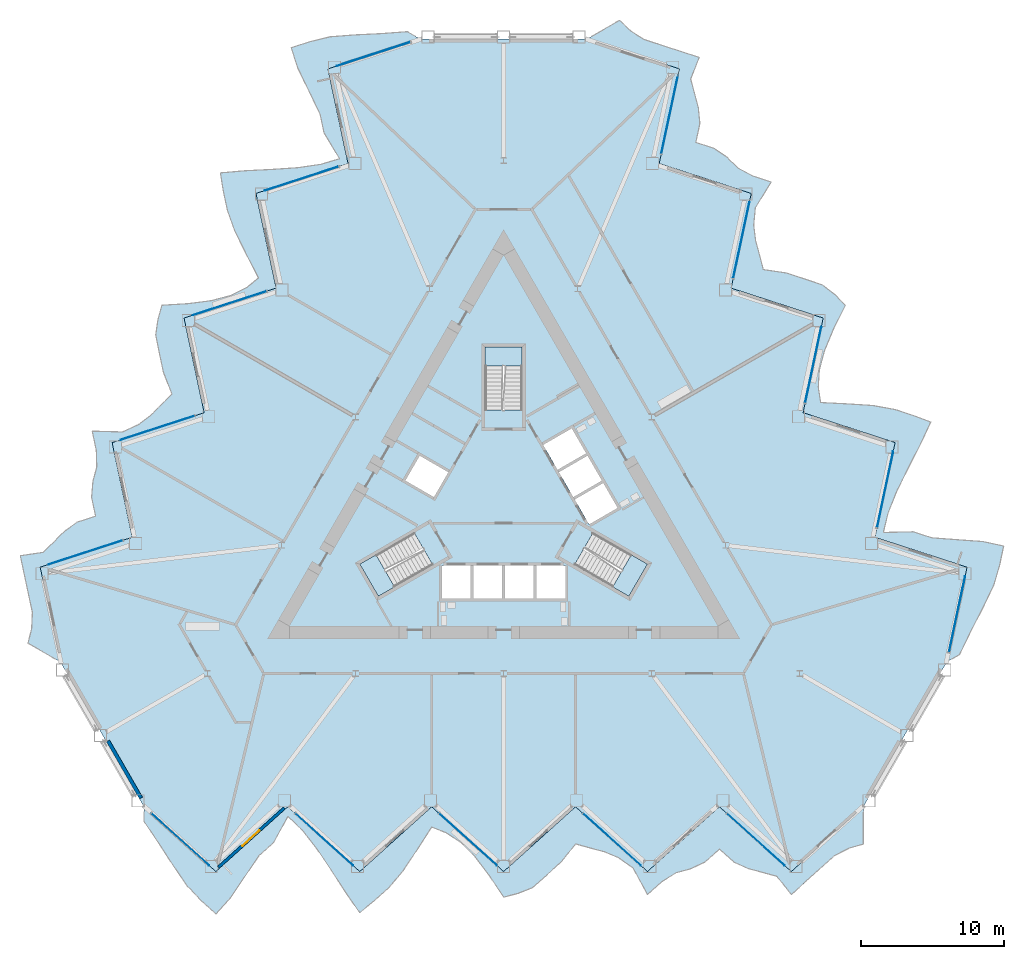
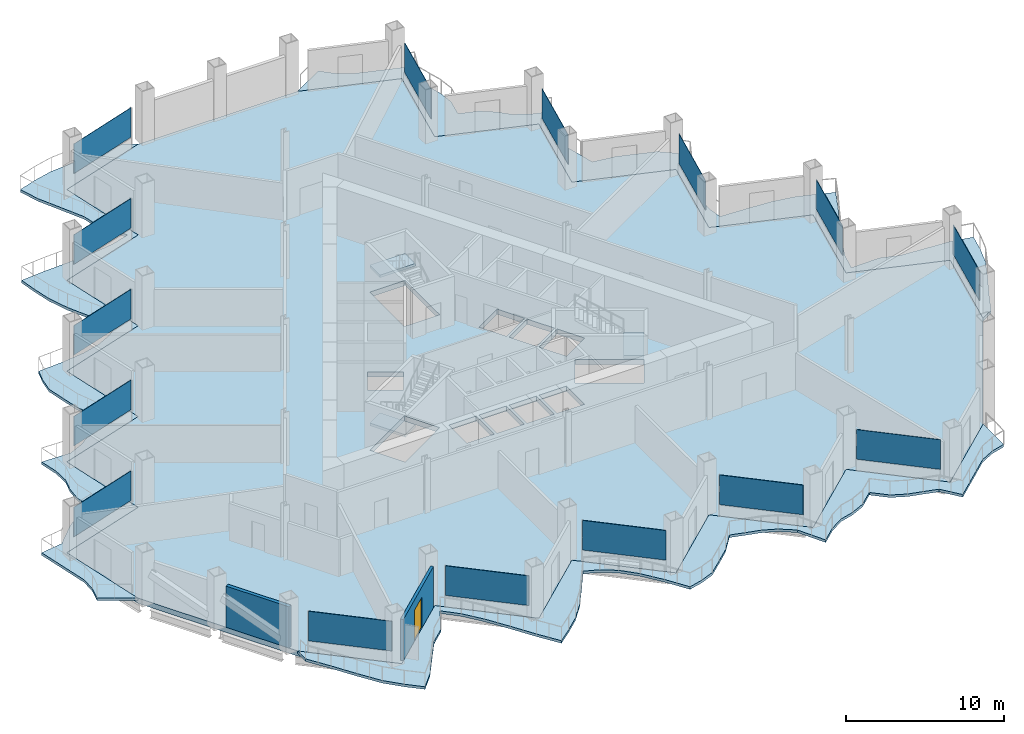
# One storey, part 9 of 21: 15 plates, 7 slabs, 2 walls, 1 door, 1 opening, 18 elements without a shape of their own.
"""IFC4 building model written with IfcOpenShell, lengths in metres."""

from ifc_helpers import new_model, si_unit, direction, frame, frame_2d, origin, origin_2d, place, context, subcontext, project, spatial, polyline, rectangle, outline, extrude, material, layer, layer_set, type_object, element, fill, aggregate, save


model = new_model("IFC4")

# Units and contexts
model_context = context("Model", 3, precision=1e-05, world=origin(), true_north=direction((0.0, 1.0)))
body_context = subcontext(model_context, "Body", "Model", "MODEL_VIEW")
ifc_project = project(units=[si_unit("LENGTHUNIT", "METRE"), si_unit("AREAUNIT", "SQUARE_METRE"), si_unit("VOLUMEUNIT", "CUBIC_METRE"), si_unit("PLANEANGLEUNIT", "RADIAN"), si_unit("MASSUNIT", "GRAM", prefix="KILO")], contexts=[model_context])

# Site, building, storey
site_placement = place(None, origin())
site = spatial("IfcSite", under=ifc_project, at=site_placement, CompositionType="ELEMENT")
building_placement = place(site_placement, origin())
building = spatial("IfcBuilding", under=site, at=building_placement, Name="Cormorant Prow Tower", CompositionType="ELEMENT")
storey_placement = place(building_placement, frame((0.0, 0.0, 116.39990234375)))
storey = spatial("IfcBuildingStorey", under=building, at=storey_placement, Name="L24", CompositionType="ELEMENT", Elevation=116.39990234375)

# Slabs
ifc_material_1 = material(Name="Concrete C40/50", Category="concrete")
ifc_layer_1 = layer(ifc_material_1, 0.199951171875)
ifc_layer_set_1 = layer_set([ifc_layer_1], Name="Concrete C40/50")
slab_type_1 = type_object("IfcSlabType", Name="Balcony slab 200", PredefinedType="FLOOR", material=ifc_layer_set_1)
slab_1_placement = place(storey_placement, frame((0.0, 0.0, -0.199951171875)))
element("IfcSlab", 1, at=slab_1_placement, inside=storey, type_object=slab_type_1, Name="Balcony slab S L24", PredefinedType="FLOOR", context=body_context, shape_type="SweptSolid", body=[
    extrude(outline(polyline([(-25.090087890625, -21.225341796875), (-25.090087890625, -22.241455078125), (-24.086669921875, -23.713623046875), (-23.0830078125, -25.2724609375), (-22.079345703125, -26.738037109375), (-21.07568359375, -27.7900390625), (-20.072021484375, -28.693603515625), (-19.068603515625, -27.58740234375), (-18.06494140625, -26.1025390625), (-17.061279296875, -24.6328125), (-16.0576171875, -23.72900390625), (-15.05419921875, -21.89892578125), (-14.050537109375, -22.848876953125), (-13.046875, -24.123046875), (-12.043212890625, -25.61962890625), (-11.039794921875, -27.17578125), (-10.0361328125, -28.6123046875), (-9.032470703125, -27.7900390625), (-8.02880859375, -26.886474609375), (-7.025146484375, -25.703125), (-6.021728515625, -24.19580078125), (-5.01806640625, -22.642578125), (-4.014404296875, -23.029541015625), (-3.0107421875, -23.69091796875), (-2.00732421875, -24.693359375), (-1.003662109375, -26.010009765625), (0.0, -27.527099609375), (1.003662109375, -27.26904296875), (2.00732421875, -26.865478515625), (3.0107421875, -25.982666015625), (4.014404296875, -25.0791015625), (5.01806640625, -23.81396484375), (6.021728515625, -24.09521484375), (7.025146484375, -24.3583984375), (8.02880859375, -24.779296875), (9.032470703125, -25.49072265625), (10.0361328125, -27.34375), (11.039794921875, -26.43994140625), (12.043212890625, -25.82080078125), (13.046875, -25.551513671875), (14.050537109375, -25.0791015625), (15.05419921875, -24.175537109375), (16.0576171875, -25.0791015625), (17.061279296875, -25.53466796875), (18.06494140625, -25.801513671875), (19.068603515625, -26.077880859375), (20.072021484375, -27.34375), (21.07568359375, -26.43994140625), (22.079345703125, -25.536376953125), (23.0830078125, -24.6328125), (24.086669921875, -24.1142578125), (25.090087890625, -23.829833984375), (25.090087890625, -21.225341796875), (24.086669921875, -22.129150390625), (23.0830078125, -23.03271484375), (22.079345703125, -23.936279296875), (21.07568359375, -24.840087890625), (20.072021484375, -25.74365234375), (19.068603515625, -24.840087890625), (18.06494140625, -23.936279296875), (17.061279296875, -23.03271484375), (16.0576171875, -22.129150390625), (15.05419921875, -21.225341796875), (14.050537109375, -22.129150390625), (13.046875, -23.03271484375), (12.043212890625, -23.936279296875), (11.039794921875, -24.840087890625), (10.0361328125, -25.74365234375), (9.032470703125, -24.840087890625), (8.02880859375, -23.936279296875), (7.025146484375, -23.03271484375), (6.021728515625, -22.129150390625), (5.01806640625, -21.225341796875), (4.014404296875, -22.129150390625), (3.0107421875, -23.03271484375), (2.00732421875, -23.936279296875), (1.003662109375, -24.840087890625), (0.0, -25.74365234375), (-1.003662109375, -24.840087890625), (-2.00732421875, -23.936279296875), (-3.0107421875, -23.03271484375), (-4.014404296875, -22.129150390625), (-5.01806640625, -21.225341796875), (-6.021728515625, -22.129150390625), (-7.025146484375, -23.03271484375), (-8.02880859375, -23.936279296875), (-9.032470703125, -24.840087890625), (-10.0361328125, -25.74365234375), (-11.039794921875, -24.840087890625), (-12.043212890625, -23.936279296875), (-13.046875, -23.03271484375), (-14.050537109375, -22.129150390625), (-15.05419921875, -21.225341796875), (-16.0576171875, -22.129150390625), (-17.061279296875, -23.03271484375), (-18.06494140625, -23.936279296875), (-19.068603515625, -24.840087890625), (-20.072021484375, -25.74365234375), (-21.07568359375, -24.840087890625), (-22.079345703125, -23.936279296875), (-23.0830078125, -23.03271484375), (-24.086669921875, -22.129150390625), (-25.090087890625, -21.225341796875)])), origin(), (0.0, 0.0, 1.0), 0.199951171875),
])
slab_2_placement = place(storey_placement, frame((0.0, 0.0, -0.199951171875)))
element("IfcSlab", 2, at=slab_2_placement, inside=storey, type_object=slab_type_1, Name="Balcony slab ENE L24", PredefinedType="FLOOR", context=body_context, shape_type="SweptSolid", body=[
    extrude(outline(polyline([(30.9267578125, -11.115966796875), (31.806884765625, -10.60791015625), (32.580078125, -9.002685546875), (33.42822265625, -7.354248046875), (34.1953125, -5.752197265625), (34.604736328125, -4.357177734375), (34.885498046875, -3.0361328125), (33.42578125, -2.719970703125), (31.637939453125, -2.59326171875), (29.86328125, -2.459228515625), (28.578857421875, -2.041748046875), (26.4921875, -2.087646484375), (26.81298828125, -0.74365234375), (27.414794921875, 0.7626953125), (28.208984375, 2.380126953125), (29.0546875, 4.02734375), (29.796875, 5.61474609375), (28.5830078125, 6.07275390625), (27.298828125, 6.489990234375), (25.772216796875, 6.767578125), (23.965087890625, 6.883056640625), (22.1181640625, 6.9755859375), (21.951171875, 8.0380859375), (22.022216796875, 9.238037109375), (22.388671875, 10.6083984375), (23.027099609375, 12.1357421875), (23.839111328125, 13.763671875), (23.11376953125, 14.503662109375), (22.2626953125, 15.171142578125), (20.996337890625, 15.598876953125), (19.7119140625, 16.01611328125), (18.114501953125, 16.252685546875), (17.856201171875, 17.262451171875), (17.58251953125, 18.26318359375), (17.445068359375, 19.3427734375), (17.559326171875, 20.567626953125), (18.662353515625, 22.36328125), (17.3779296875, 22.78076171875), (16.33984375, 23.340087890625), (15.604736328125, 24.07470703125), (14.69384765625, 24.70751953125), (13.409423828125, 25.125), (13.690185546875, 26.446044921875), (13.5830078125, 27.54296875), (13.312255859375, 28.54541015625), (13.050048828125, 29.552734375), (13.644287109375, 31.054931640625), (12.35986328125, 31.47216796875), (11.075439453125, 31.889404296875), (9.791015625, 32.306884765625), (8.84033203125, 32.916748046875), (8.092041015625, 33.6435546875), (5.836669921875, 32.341552734375), (7.12109375, 31.924072265625), (8.405517578125, 31.5068359375), (9.68994140625, 31.08935546875), (10.97412109375, 30.672119140625), (12.258544921875, 30.2548828125), (11.977783203125, 28.933837890625), (11.697021484375, 27.61279296875), (11.416259765625, 26.2919921875), (11.135498046875, 24.970947265625), (10.854736328125, 23.64990234375), (12.13916015625, 23.232666015625), (13.423583984375, 22.8154296875), (14.7080078125, 22.39794921875), (15.9921875, 21.980712890625), (17.276611328125, 21.563232421875), (16.995849609375, 20.242431640625), (16.715087890625, 18.92138671875), (16.434326171875, 17.600341796875), (16.153564453125, 16.279541015625), (15.872802734375, 14.95849609375), (17.1572265625, 14.541259765625), (18.441650390625, 14.123779296875), (19.725830078125, 13.70654296875), (21.01025390625, 13.2890625), (22.294677734375, 12.871826171875), (22.013916015625, 11.55078125), (21.733154296875, 10.22998046875), (21.452392578125, 8.908935546875), (21.171630859375, 7.587890625), (20.890869140625, 6.26708984375), (22.17529296875, 5.849609375), (23.45947265625, 5.432373046875), (24.743896484375, 5.014892578125), (26.0283203125, 4.59765625), (27.312744140625, 4.180419921875), (27.031982421875, 2.859375), (26.751220703125, 1.538330078125), (26.470458984375, 0.217529296875), (26.189697265625, -1.103515625), (25.908935546875, -2.424560546875), (27.193115234375, -2.841796875), (28.4775390625, -3.25927734375), (29.761962890625, -3.676513671875), (31.04638671875, -4.09375), (32.330810546875, -4.51123046875), (32.050048828125, -5.83203125), (31.769287109375, -7.153076171875), (31.488525390625, -8.47412109375), (31.20751953125, -9.794921875), (30.9267578125, -11.115966796875)])), origin(), (0.0, 0.0, 1.0), 0.199951171875),
])
slab_3_placement = place(storey_placement, frame((0.0, 0.0, -0.199951171875)))
element("IfcSlab", 3, at=slab_3_placement, inside=storey, type_object=slab_type_1, Name="Balcony slab WNW L24", PredefinedType="FLOOR", context=body_context, shape_type="SweptSolid", body=[
    extrude(outline(polyline([(-5.836669921875, 32.341552734375), (-6.716552734375, 32.849609375), (-8.493408203125, 32.716552734375), (-10.34521484375, 32.626708984375), (-12.115966796875, 32.490234375), (-13.529052734375, 32.147216796875), (-14.8134765625, 31.729736328125), (-14.357177734375, 30.3076171875), (-13.572998046875, 28.696044921875), (-12.802001953125, 27.091796875), (-12.521240234375, 25.77099609375), (-11.43798828125, 23.98681640625), (-12.762451171875, 23.592529296875), (-14.36767578125, 23.360595703125), (-16.165771484375, 23.23974609375), (-18.01513671875, 23.1484375), (-19.760986328125, 22.99755859375), (-19.550537109375, 21.71728515625), (-19.269775390625, 20.396484375), (-18.7470703125, 18.935546875), (-17.943359375, 17.312744140625), (-17.10009765625, 15.6669921875), (-17.936767578125, 14.9912109375), (-19.011474609375, 14.452880859375), (-20.381591796875, 14.0849609375), (-22.0234375, 13.8740234375), (-23.839111328125, 13.763671875), (-24.117431640625, 12.765380859375), (-24.269775390625, 11.694580078125), (-24.007080078125, 10.384033203125), (-23.726318359375, 9.06298828125), (-23.132568359375, 7.561279296875), (-23.8779296875, 6.832763671875), (-24.607666015625, 6.09521484375), (-25.47412109375, 5.4365234375), (-26.591796875, 4.923095703125), (-28.698486328125, 4.98046875), (-28.41748046875, 3.659423828125), (-28.383056640625, 2.48046875), (-28.651611328125, 1.476806640625), (-28.744384765625, 0.37158203125), (-28.463623046875, -0.949462890625), (-29.748046875, -1.366943359375), (-30.644287109375, -2.008056640625), (-31.377197265625, -2.743896484375), (-32.118408203125, -3.474853515625), (-33.71630859375, -3.711181640625), (-33.435546875, -5.031982421875), (-33.15478515625, -6.35302734375), (-32.8740234375, -7.674072265625), (-32.927001953125, -8.802490234375), (-33.182373046875, -9.813720703125), (-30.9267578125, -11.115966796875), (-31.20751953125, -9.794921875), (-31.488525390625, -8.47412109375), (-31.769287109375, -7.153076171875), (-32.050048828125, -5.83203125), (-32.330810546875, -4.51123046875), (-31.04638671875, -4.09375), (-29.761962890625, -3.676513671875), (-28.4775390625, -3.25927734375), (-27.193115234375, -2.841796875), (-25.908935546875, -2.424560546875), (-26.189697265625, -1.103515625), (-26.470458984375, 0.217529296875), (-26.751220703125, 1.538330078125), (-27.031982421875, 2.859375), (-27.312744140625, 4.180419921875), (-26.0283203125, 4.59765625), (-24.743896484375, 5.014892578125), (-23.45947265625, 5.432373046875), (-22.17529296875, 5.849609375), (-20.890869140625, 6.26708984375), (-21.171630859375, 7.587890625), (-21.452392578125, 8.908935546875), (-21.733154296875, 10.22998046875), (-22.013916015625, 11.55078125), (-22.294677734375, 12.871826171875), (-21.01025390625, 13.2890625), (-19.725830078125, 13.70654296875), (-18.441650390625, 14.123779296875), (-17.1572265625, 14.541259765625), (-15.872802734375, 14.95849609375), (-16.153564453125, 16.279541015625), (-16.434326171875, 17.600341796875), (-16.715087890625, 18.92138671875), (-16.995849609375, 20.242431640625), (-17.276611328125, 21.563232421875), (-15.9921875, 21.980712890625), (-14.7080078125, 22.39794921875), (-13.423583984375, 22.8154296875), (-12.13916015625, 23.232666015625), (-10.854736328125, 23.64990234375), (-11.135498046875, 24.970947265625), (-11.416259765625, 26.2919921875), (-11.697021484375, 27.61279296875), (-11.977783203125, 28.933837890625), (-12.258544921875, 30.2548828125), (-10.97412109375, 30.672119140625), (-9.68994140625, 31.08935546875), (-8.405517578125, 31.5068359375), (-7.12109375, 31.924072265625), (-5.836669921875, 32.341552734375)])), origin(), (0.0, 0.0, 1.0), 0.199951171875),
])

# Curtain wall, plate
ifc_material_2 = material(Name="Aluminium 6063-T6", Category="aluminium")
ifc_layer_2 = layer(ifc_material_2, 0.199951171875)
ifc_layer_set_2 = layer_set([ifc_layer_2], Name="Aluminium 6063-T6")
curtain_wall_type = type_object("IfcCurtainWallType", Name="Office unitised curtain wall 200", PredefinedType="NOTDEFINED", material=ifc_layer_set_2)
curtain_wall_1_placement = place(storey_placement, origin())
curtain_wall_1 = element("IfcCurtainWall", 4, at=curtain_wall_1_placement, inside=storey, type_object=curtain_wall_type, Name="Office curtain wall S00", PredefinedType="NOTDEFINED")
ifc_material_3 = material(Name="Clear glass", Category="glass")
ifc_layer_3 = layer(ifc_material_3, 0.031982421875)
ifc_layer_set_3 = layer_set([ifc_layer_3], Name="Clear glass")
plate_type = type_object("IfcPlateType", Name="Office glass panel 32", PredefinedType="CURTAIN_PANEL", material=ifc_layer_set_3)
plate_1_placement = place(storey_placement, frame((-22.558837890625, -23.504638671875, 0.89990234375), z_axis=(0.0, 0.0, 1.0), x_axis=(0.74314483343, -0.669130597526, 0.0)))
plate_1 = element("IfcPlate", 5, at=plate_1_placement, type_object=plate_type, Name="Office glass panel S00", PredefinedType="CURTAIN_PANEL", context=body_context, shape_type="SweptSolid", body=[
    extrude(rectangle(XDim=5.42041015625, YDim=0.031982421875, at=origin_2d()), origin(), (0.0, 0.0, 1.0), 2.288818359375),
])
aggregate(curtain_wall_1, [plate_1])

curtain_wall_2_placement = place(storey_placement, origin())
curtain_wall_2 = element("IfcCurtainWall", 6, at=curtain_wall_2_placement, inside=storey, type_object=curtain_wall_type, Name="Office curtain wall S02", PredefinedType="NOTDEFINED")
plate_2_placement = place(storey_placement, frame((-12.522705078125, -23.504638671875, 0.89990234375), z_axis=(0.0, 0.0, 1.0), x_axis=(0.74314483343, -0.669130597526, 0.0)))
plate_2 = element("IfcPlate", 7, at=plate_2_placement, type_object=plate_type, Name="Office glass panel S02", PredefinedType="CURTAIN_PANEL", context=body_context, shape_type="SweptSolid", body=[
    extrude(rectangle(XDim=5.42041015625, YDim=0.031982421875, at=origin_2d()), origin(), (0.0, 0.0, 1.0), 2.288818359375),
])
aggregate(curtain_wall_2, [plate_2])

curtain_wall_3_placement = place(storey_placement, origin())
curtain_wall_3 = element("IfcCurtainWall", 8, at=curtain_wall_3_placement, inside=storey, type_object=curtain_wall_type, Name="Office curtain wall S04", PredefinedType="NOTDEFINED")
plate_3_placement = place(storey_placement, frame((-2.48681640625, -23.504638671875, 0.89990234375), z_axis=(0.0, 0.0, 1.0), x_axis=(0.74314483343, -0.669130597526, 0.0)))
plate_3 = element("IfcPlate", 9, at=plate_3_placement, type_object=plate_type, Name="Office glass panel S04", PredefinedType="CURTAIN_PANEL", context=body_context, shape_type="SweptSolid", body=[
    extrude(rectangle(XDim=5.42041015625, YDim=0.031982421875, at=origin_2d()), origin(), (0.0, 0.0, 1.0), 2.288818359375),
])
aggregate(curtain_wall_3, [plate_3])

curtain_wall_4_placement = place(storey_placement, origin())
curtain_wall_4 = element("IfcCurtainWall", 10, at=curtain_wall_4_placement, inside=storey, type_object=curtain_wall_type, Name="Office curtain wall S06", PredefinedType="NOTDEFINED")
plate_4_placement = place(storey_placement, frame((7.54931640625, -23.504638671875, 0.89990234375), z_axis=(0.0, 0.0, 1.0), x_axis=(0.74314483343, -0.669130597526, 0.0)))
plate_4 = element("IfcPlate", 11, at=plate_4_placement, type_object=plate_type, Name="Office glass panel S06", PredefinedType="CURTAIN_PANEL", context=body_context, shape_type="SweptSolid", body=[
    extrude(rectangle(XDim=5.42041015625, YDim=0.031982421875, at=origin_2d()), origin(), (0.0, 0.0, 1.0), 2.288818359375),
])
aggregate(curtain_wall_4, [plate_4])

curtain_wall_5_placement = place(storey_placement, origin())
curtain_wall_5 = element("IfcCurtainWall", 12, at=curtain_wall_5_placement, inside=storey, type_object=curtain_wall_type, Name="Office curtain wall S08", PredefinedType="NOTDEFINED")
plate_5_placement = place(storey_placement, frame((17.58544921875, -23.504638671875, 0.89990234375), z_axis=(0.0, 0.0, 1.0), x_axis=(0.74314483343, -0.669130597526, 0.0)))
plate_5 = element("IfcPlate", 13, at=plate_5_placement, type_object=plate_type, Name="Office glass panel S08", PredefinedType="CURTAIN_PANEL", context=body_context, shape_type="SweptSolid", body=[
    extrude(rectangle(XDim=5.42041015625, YDim=0.031982421875, at=origin_2d()), origin(), (0.0, 0.0, 1.0), 2.288818359375),
])
aggregate(curtain_wall_5, [plate_5])

curtain_wall_6_placement = place(storey_placement, origin())
curtain_wall_6 = element("IfcCurtainWall", 14, at=curtain_wall_6_placement, inside=storey, type_object=curtain_wall_type, Name="Office curtain wall ENE00", PredefinedType="NOTDEFINED")
plate_6_placement = place(storey_placement, frame((31.635009765625, -7.7841796875, 0.89990234375), z_axis=(0.0, 0.0, 1.0), x_axis=(0.207911647216, 0.978147610002, 0.0)))
plate_6 = element("IfcPlate", 15, at=plate_6_placement, type_object=plate_type, Name="Office glass panel ENE00", PredefinedType="CURTAIN_PANEL", context=body_context, shape_type="SweptSolid", body=[
    extrude(rectangle(XDim=5.42041015625, YDim=0.031982421875, at=origin_2d()), origin(), (0.0, 0.0, 1.0), 2.288818359375),
])
aggregate(curtain_wall_6, [plate_6])

curtain_wall_7_placement = place(storey_placement, origin())
curtain_wall_7 = element("IfcCurtainWall", 16, at=curtain_wall_7_placement, inside=storey, type_object=curtain_wall_type, Name="Office curtain wall ENE02", PredefinedType="NOTDEFINED")
plate_7_placement = place(storey_placement, frame((26.616943359375, 0.9072265625, 0.89990234375), z_axis=(0.0, 0.0, 1.0), x_axis=(0.207911647216, 0.978147610002, 0.0)))
plate_7 = element("IfcPlate", 17, at=plate_7_placement, type_object=plate_type, Name="Office glass panel ENE02", PredefinedType="CURTAIN_PANEL", context=body_context, shape_type="SweptSolid", body=[
    extrude(rectangle(XDim=5.42041015625, YDim=0.031982421875, at=origin_2d()), origin(), (0.0, 0.0, 1.0), 2.288818359375),
])
aggregate(curtain_wall_7, [plate_7])

curtain_wall_8_placement = place(storey_placement, origin())
curtain_wall_8 = element("IfcCurtainWall", 18, at=curtain_wall_8_placement, inside=storey, type_object=curtain_wall_type, Name="Office curtain wall ENE04", PredefinedType="NOTDEFINED")
plate_8_placement = place(storey_placement, frame((21.598876953125, 9.598876953125, 0.89990234375), z_axis=(0.0, 0.0, 1.0), x_axis=(0.207911647216, 0.978147610002, 0.0)))
plate_8 = element("IfcPlate", 19, at=plate_8_placement, type_object=plate_type, Name="Office glass panel ENE04", PredefinedType="CURTAIN_PANEL", context=body_context, shape_type="SweptSolid", body=[
    extrude(rectangle(XDim=5.42041015625, YDim=0.031982421875, at=origin_2d()), origin(), (0.0, 0.0, 1.0), 2.288818359375),
])
aggregate(curtain_wall_8, [plate_8])

curtain_wall_9_placement = place(storey_placement, origin())
curtain_wall_9 = element("IfcCurtainWall", 20, at=curtain_wall_9_placement, inside=storey, type_object=curtain_wall_type, Name="Office curtain wall ENE06", PredefinedType="NOTDEFINED")
plate_9_placement = place(storey_placement, frame((16.5810546875, 18.290283203125, 0.89990234375), z_axis=(0.0, 0.0, 1.0), x_axis=(0.207911647216, 0.978147610002, 0.0)))
plate_9 = element("IfcPlate", 21, at=plate_9_placement, type_object=plate_type, Name="Office glass panel ENE06", PredefinedType="CURTAIN_PANEL", context=body_context, shape_type="SweptSolid", body=[
    extrude(rectangle(XDim=5.42041015625, YDim=0.031982421875, at=origin_2d()), origin(), (0.0, 0.0, 1.0), 2.288818359375),
])
aggregate(curtain_wall_9, [plate_9])

curtain_wall_10_placement = place(storey_placement, origin())
curtain_wall_10 = element("IfcCurtainWall", 22, at=curtain_wall_10_placement, inside=storey, type_object=curtain_wall_type, Name="Office curtain wall ENE08", PredefinedType="NOTDEFINED")
plate_10_placement = place(storey_placement, frame((11.56298828125, 26.981689453125, 0.89990234375), z_axis=(0.0, 0.0, 1.0), x_axis=(0.207911647216, 0.978147610002, 0.0)))
plate_10 = element("IfcPlate", 23, at=plate_10_placement, type_object=plate_type, Name="Office glass panel ENE08", PredefinedType="CURTAIN_PANEL", context=body_context, shape_type="SweptSolid", body=[
    extrude(rectangle(XDim=5.42041015625, YDim=0.031982421875, at=origin_2d()), origin(), (0.0, 0.0, 1.0), 2.288818359375),
])
aggregate(curtain_wall_10, [plate_10])

curtain_wall_11_placement = place(storey_placement, origin())
curtain_wall_11 = element("IfcCurtainWall", 24, at=curtain_wall_11_placement, inside=storey, type_object=curtain_wall_type, Name="Office curtain wall WNW00", PredefinedType="NOTDEFINED")
plate_11_placement = place(storey_placement, frame((-9.076171875, 31.288818359375, 0.89990234375), z_axis=(0.0, 0.0, 1.0), x_axis=(-0.951056506231, -0.309017025349, 0.0)))
plate_11 = element("IfcPlate", 25, at=plate_11_placement, type_object=plate_type, Name="Office glass panel WNW00", PredefinedType="CURTAIN_PANEL", context=body_context, shape_type="SweptSolid", body=[
    extrude(rectangle(XDim=5.42041015625, YDim=0.031982421875, at=origin_2d()), origin(), (0.0, 0.0, 1.0), 2.288818359375),
])
aggregate(curtain_wall_11, [plate_11])

curtain_wall_12_placement = place(storey_placement, origin())
curtain_wall_12 = element("IfcCurtainWall", 26, at=curtain_wall_12_placement, inside=storey, type_object=curtain_wall_type, Name="Office curtain wall WNW02", PredefinedType="NOTDEFINED")
plate_12_placement = place(storey_placement, frame((-14.09423828125, 22.597412109375, 0.89990234375), z_axis=(0.0, 0.0, 1.0), x_axis=(-0.951056506231, -0.309017025349, 0.0)))
plate_12 = element("IfcPlate", 27, at=plate_12_placement, type_object=plate_type, Name="Office glass panel WNW02", PredefinedType="CURTAIN_PANEL", context=body_context, shape_type="SweptSolid", body=[
    extrude(rectangle(XDim=5.42041015625, YDim=0.031982421875, at=origin_2d()), origin(), (0.0, 0.0, 1.0), 2.288818359375),
])
aggregate(curtain_wall_12, [plate_12])

curtain_wall_13_placement = place(storey_placement, origin())
curtain_wall_13 = element("IfcCurtainWall", 28, at=curtain_wall_13_placement, inside=storey, type_object=curtain_wall_type, Name="Office curtain wall WNW04", PredefinedType="NOTDEFINED")
plate_13_placement = place(storey_placement, frame((-19.1123046875, 13.906005859375, 0.89990234375), z_axis=(0.0, 0.0, 1.0), x_axis=(-0.951056506231, -0.309017025349, 0.0)))
plate_13 = element("IfcPlate", 29, at=plate_13_placement, type_object=plate_type, Name="Office glass panel WNW04", PredefinedType="CURTAIN_PANEL", context=body_context, shape_type="SweptSolid", body=[
    extrude(rectangle(XDim=5.42041015625, YDim=0.031982421875, at=origin_2d()), origin(), (0.0, 0.0, 1.0), 2.288818359375),
])
aggregate(curtain_wall_13, [plate_13])

curtain_wall_14_placement = place(storey_placement, origin())
curtain_wall_14 = element("IfcCurtainWall", 30, at=curtain_wall_14_placement, inside=storey, type_object=curtain_wall_type, Name="Office curtain wall WNW06", PredefinedType="NOTDEFINED")
plate_14_placement = place(storey_placement, frame((-24.13037109375, 5.21435546875, 0.89990234375), z_axis=(0.0, 0.0, 1.0), x_axis=(-0.951056549756, -0.309016891394, 0.0)))
plate_14 = element("IfcPlate", 31, at=plate_14_placement, type_object=plate_type, Name="Office glass panel WNW06", PredefinedType="CURTAIN_PANEL", context=body_context, shape_type="SweptSolid", body=[
    extrude(rectangle(XDim=5.42041015625, YDim=0.031982421875, at=origin_2d()), origin(), (0.0, 0.0, 1.0), 2.288818359375),
])
aggregate(curtain_wall_14, [plate_14])

curtain_wall_15_placement = place(storey_placement, origin())
curtain_wall_15 = element("IfcCurtainWall", 32, at=curtain_wall_15_placement, inside=storey, type_object=curtain_wall_type, Name="Office curtain wall WNW08", PredefinedType="NOTDEFINED")
plate_15_placement = place(storey_placement, frame((-29.1484375, -3.47705078125, 0.89990234375), z_axis=(0.0, 0.0, 1.0), x_axis=(-0.951056506231, -0.309017025349, 0.0)))
plate_15 = element("IfcPlate", 33, at=plate_15_placement, type_object=plate_type, Name="Office glass panel WNW08", PredefinedType="CURTAIN_PANEL", context=body_context, shape_type="SweptSolid", body=[
    extrude(rectangle(XDim=5.42041015625, YDim=0.031982421875, at=origin_2d()), origin(), (0.0, 0.0, 1.0), 2.288818359375),
])
aggregate(curtain_wall_15, [plate_15])

# Slab
ifc_material_4 = material(Name="Concrete C40/50", Category="concrete")
ifc_layer_4 = layer(ifc_material_4, 0.39990234375)
ifc_layer_set_4 = layer_set([ifc_layer_4], Name="Concrete C40/50")
slab_type_2 = type_object("IfcSlabType", Name="Post-tensioned flat slab 400", PredefinedType="FLOOR", material=ifc_layer_set_4)
slab_4_placement = place(storey_placement, frame((0.0, 0.0, -0.39990234375)))
element("IfcSlab", 34, at=slab_4_placement, inside=storey, type_object=slab_type_2, Name="Floor slab L24", PredefinedType="FLOOR", context=body_context, shape_type="SweptSolid", body=[
    extrude(outline(polyline([(-12.258544921875, 30.2548828125), (-10.854736328125, 23.64990234375), (-17.276611328125, 21.563232421875), (-15.872802734375, 14.95849609375), (-22.294677734375, 12.871826171875), (-20.890869140625, 6.26708984375), (-27.312744140625, 4.180419921875), (-25.908935546875, -2.424560546875), (-32.330810546875, -4.51123046875), (-30.9267578125, -11.115966796875), (-28.008544921875, -16.170654296875), (-25.090087890625, -21.225341796875), (-20.072021484375, -25.74365234375), (-15.05419921875, -21.225341796875), (-10.0361328125, -25.74365234375), (-5.01806640625, -21.225341796875), (0.0, -25.74365234375), (5.01806640625, -21.225341796875), (10.0361328125, -25.74365234375), (15.05419921875, -21.225341796875), (20.072021484375, -25.74365234375), (25.090087890625, -21.225341796875), (28.008544921875, -16.170654296875), (30.9267578125, -11.115966796875), (32.330810546875, -4.51123046875), (25.908935546875, -2.424560546875), (27.312744140625, 4.180419921875), (20.890869140625, 6.26708984375), (22.294677734375, 12.871826171875), (15.872802734375, 14.95849609375), (17.276611328125, 21.563232421875), (10.854736328125, 23.64990234375), (12.258544921875, 30.2548828125), (5.836669921875, 32.341552734375), (0.0, 32.341552734375), (-5.836669921875, 32.341552734375), (-12.258544921875, 30.2548828125)]), holes=[polyline([(-4.300048828125, -6.699951171875), (-4.300048828125, -4.39990234375), (-2.300048828125, -4.39990234375), (-2.300048828125, -6.699951171875), (-4.300048828125, -6.699951171875)]), polyline([(-2.10009765625, -4.39990234375), (-0.10009765625, -4.39990234375), (-0.10009765625, -6.699951171875), (-2.10009765625, -6.699951171875), (-2.10009765625, -4.39990234375)]), polyline([(2.10009765625, -4.39990234375), (2.10009765625, -6.699951171875), (0.10009765625, -6.699951171875), (0.10009765625, -4.39990234375), (2.10009765625, -4.39990234375)]), polyline([(4.300048828125, -6.699951171875), (2.300048828125, -6.699951171875), (2.300048828125, -4.39990234375), (4.300048828125, -4.39990234375), (4.300048828125, -6.699951171875)]), polyline([(7.952392578125, -0.373779296875), (5.96044921875, -1.52392578125), (4.96044921875, 0.2080078125), (6.952392578125, 1.358154296875), (7.952392578125, -0.373779296875)]), polyline([(4.860595703125, 0.38134765625), (3.860595703125, 2.11328125), (5.852294921875, 3.263427734375), (6.852294921875, 1.53125), (4.860595703125, 0.38134765625)]), polyline([(2.760498046875, 4.018798828125), (4.75244140625, 5.168701171875), (5.75244140625, 3.4365234375), (3.760498046875, 2.28662109375), (2.760498046875, 4.018798828125)]), polyline([(-6.852294921875, 1.53125), (-5.852294921875, 3.263427734375), (-3.860595703125, 2.11328125), (-4.860595703125, 0.38134765625), (-6.852294921875, 1.53125)]), polyline([(-4.947509765625, -4.3505859375), (-8.738037109375, -6.5390625), (-10.031982421875, -4.2978515625), (-6.241455078125, -2.109375), (-4.947509765625, -4.3505859375)]), polyline([(10.031982421875, -4.2978515625), (8.738037109375, -6.5390625), (4.947509765625, -4.3505859375), (6.241455078125, -2.109375), (10.031982421875, -4.2978515625)]), polyline([(1.2939453125, 10.8369140625), (1.2939453125, 6.459716796875), (-1.2939453125, 6.459716796875), (-1.2939453125, 10.8369140625), (1.2939453125, 10.8369140625)])]), origin(), (0.0, 0.0, 1.0), 0.39990234375),
])

# Stair, slab
ifc_material_5 = material(Name="Exit stair 24 risers")
stair_type = type_object("IfcStairType", Name="Exit stair 24 risers", PredefinedType="HALF_TURN_STAIR", material=ifc_material_5)
stair_1_placement = place(storey_placement, origin())
stair_1 = element("IfcStair", 35, at=stair_1_placement, inside=storey, type_object=stair_type, Name="L24 Exit stair ST1", PredefinedType="HALF_TURN_STAIR")
ifc_material_6 = material(Name="Concrete 5000 psi", Category="concrete")
ifc_layer_5 = layer(ifc_material_6, 0.199951171875)
ifc_layer_set_5 = layer_set([ifc_layer_5], Name="Concrete 5000 psi")
slab_type_3 = type_object("IfcSlabType", Name="Stair landing 200", PredefinedType="LANDING", material=ifc_layer_set_5)
slab_5_placement = place(storey_placement, frame((0.0, 0.0, 1.900146484375)))
slab_5 = element("IfcSlab", 36, at=slab_5_placement, type_object=slab_type_3, Name="ST1 landing 1", PredefinedType="LANDING", context=body_context, shape_type="SweptSolid", body=[
    extrude(outline(polyline([(-8.90185546875, -3.645263671875), (-10.031982421875, -4.2978515625), (-8.738037109375, -6.5390625), (-7.60791015625, -5.886474609375), (-8.90185546875, -3.645263671875)])), origin(), (0.0, 0.0, 1.0), 0.199951171875),
])
aggregate(stair_1, [slab_5])

stair_2_placement = place(storey_placement, origin())
stair_2 = element("IfcStair", 37, at=stair_2_placement, inside=storey, type_object=stair_type, Name="L24 Exit stair ST2", PredefinedType="HALF_TURN_STAIR")
slab_6_placement = place(storey_placement, frame((0.0, 0.0, 1.900146484375)))
slab_6 = element("IfcSlab", 38, at=slab_6_placement, type_object=slab_type_3, Name="ST2 landing 1", PredefinedType="LANDING", context=body_context, shape_type="SweptSolid", body=[
    extrude(outline(polyline([(7.60791015625, -5.886474609375), (8.738037109375, -6.5390625), (10.031982421875, -4.2978515625), (8.90185546875, -3.645263671875), (7.60791015625, -5.886474609375)])), origin(), (0.0, 0.0, 1.0), 0.199951171875),
])
aggregate(stair_2, [slab_6])

stair_3_placement = place(storey_placement, origin())
stair_3 = element("IfcStair", 39, at=stair_3_placement, inside=storey, type_object=stair_type, Name="L24 Exit stair ST3", PredefinedType="HALF_TURN_STAIR")
slab_7_placement = place(storey_placement, frame((0.0, 0.0, 1.900146484375)))
slab_7 = element("IfcSlab", 40, at=slab_7_placement, type_object=slab_type_3, Name="ST3 landing 1", PredefinedType="LANDING", context=body_context, shape_type="SweptSolid", body=[
    extrude(outline(polyline([(1.2939453125, 9.53173828125), (1.2939453125, 10.8369140625), (-1.2939453125, 10.8369140625), (-1.2939453125, 9.53173828125), (1.2939453125, 9.53173828125)])), origin(), (0.0, 0.0, 1.0), 0.199951171875),
])
aggregate(stair_3, [slab_7])

# Wall
ifc_material_7 = material(Name="Terracotta", Category="masonry")
ifc_layer_6 = layer(ifc_material_7, 0.25)
ifc_layer_set_6 = layer_set([ifc_layer_6], Name="Terracotta")
wall_type_1 = type_object("IfcWallType", Name="Terracotta bay wall 250", PredefinedType="SOLIDWALL", material=ifc_layer_set_6)
wall_1_placement = place(storey_placement, frame((-27.597900390625, -16.6318359375, 0.0), z_axis=(0.0, 0.0, 1.0), x_axis=(0.500018268964, -0.866014855936, 0.0)))
element("IfcWall", 41, at=wall_1_placement, inside=storey, type_object=wall_type_1, Name="Terracotta bay wall WSW01", PredefinedType="SOLIDWALL", context=body_context, shape_type="SweptSolid", body=[
    extrude(rectangle(XDim=4.595947265625, YDim=0.25, at=frame_2d((2.2978515625, 0.0))), origin(), (0.0, 0.0, 1.0), 3.18896484375),
])

# Wall, opening, door
ifc_material_8 = material(Name="Terracotta", Category="masonry")
ifc_layer_7 = layer(ifc_material_8, 0.199951171875)
ifc_layer_set_7 = layer_set([ifc_layer_7], Name="Terracotta")
wall_type_2 = type_object("IfcWallType", Name="Terracotta jamb wall 200", PredefinedType="SOLIDWALL", material=ifc_layer_set_7)
wall_2_placement = place(storey_placement, frame((-19.896240234375, -25.45068359375, 0.0), z_axis=(0.0, 0.0, 1.0), x_axis=(0.743162487272, 0.669110990428, 0.0)))
wall_2 = element("IfcWall", 42, at=wall_2_placement, inside=storey, type_object=wall_type_2, Name="Terracotta jamb wall S01", PredefinedType="SOLIDWALL", context=body_context, shape_type="SweptSolid", body=[
    extrude(rectangle(XDim=6.178466796875, YDim=0.199951171875, at=frame_2d((3.08935546875, 0.0))), origin(), (0.0, 0.0, 1.0), 3.18896484375),
])
opening_placement = place(wall_2_placement, frame((2.24951171875, 0.0, 0.0)))
opening = element("IfcOpeningElement", 43, at=opening_placement, cuts=wall_2, Name="Opening ED24.01", PredefinedType="OPENING", context=body_context, shape_type="SweptSolid", body=[
    extrude(rectangle(XDim=1.60009765625, YDim=2.39990234375, at=frame_2d((0.800048828125, 1.199951171875))), frame((0.0, 0.10986328125, 0.0), z_axis=(0.0, -1.0, 0.0), x_axis=(1.0, 0.0, 0.0)), (0.0, 0.0, 1.0), 0.219970703125),
])
ifc_material_9 = material(Name="Aluminium 6063-T6", Category="aluminium")
door_type = type_object("IfcDoorType", Name="Balcony door 1600x2400", OperationType="DOUBLE_DOOR_SINGLE_SWING", PredefinedType="DOOR", material=ifc_material_9)
door_placement = place(opening_placement, origin())
door = element("IfcDoor", 44, at=door_placement, inside=storey, type_object=door_type, Name="Balcony door S01 ED24.01", OperationType="DOUBLE_DOOR_SINGLE_SWING", OverallHeight=2.39990234375, OverallWidth=1.60009765625, PredefinedType="DOOR", context=body_context, shape_type="SweptSolid", body=[
    extrude(rectangle(XDim=1.60009765625, YDim=2.39990234375, at=frame_2d((0.800048828125, 1.199951171875))), frame((0.0, 0.02490234375, 0.0), z_axis=(0.0, -1.0, 0.0), x_axis=(1.0, 0.0, 0.0)), (0.0, 0.0, 1.0), 0.050048828125),
])
fill(opening, door)

save(model, "model.ifc")
